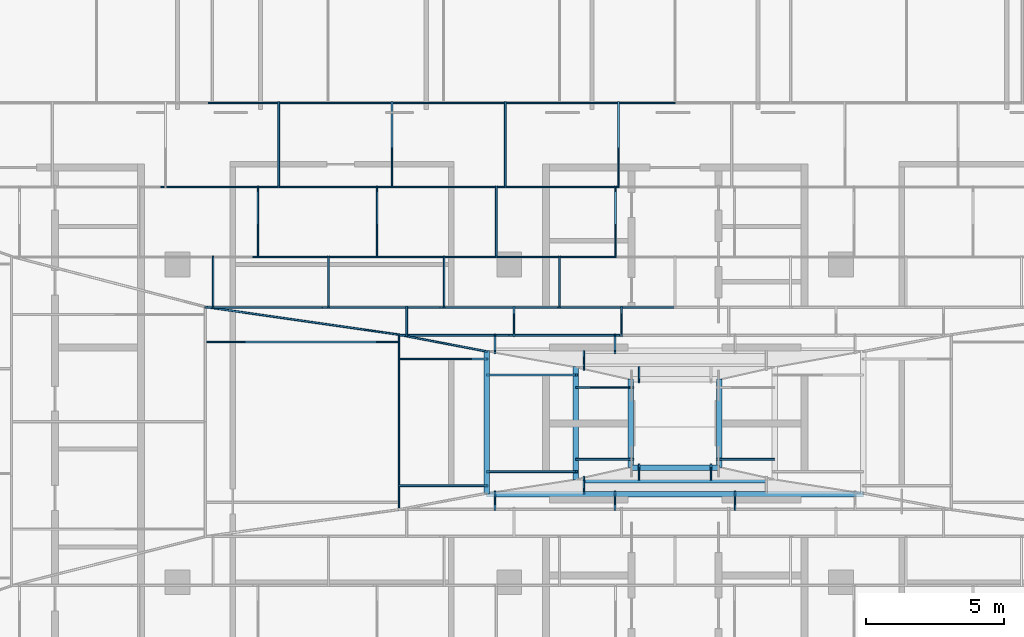
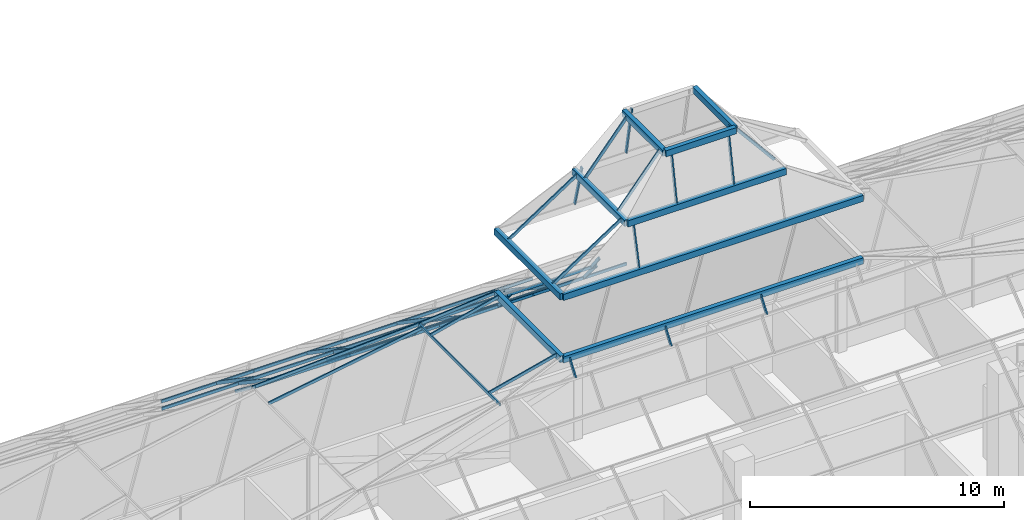
# One storey, part 11 of 39: 62 members, 16 elements without a shape of their own.
"""IFC4 building model written with IfcOpenShell, lengths in metres."""

from ifc_helpers import new_model, si_unit, direction, frame, origin, origin_2d, place, context, subcontext, project, spatial, rectangle, extrude, material, material_profile, profile_set, type_object, element, aggregate, save


model = new_model("IFC4")

# Units and contexts
model_context = context("Model", 3, precision=1e-05, world=origin(), true_north=direction((0.0, 1.0)))
body_context = subcontext(model_context, "Body", "Model", "MODEL_VIEW")
ifc_project = project(units=[si_unit("LENGTHUNIT", "METRE"), si_unit("AREAUNIT", "SQUARE_METRE"), si_unit("VOLUMEUNIT", "CUBIC_METRE"), si_unit("PLANEANGLEUNIT", "RADIAN"), si_unit("MASSUNIT", "GRAM", prefix="KILO")], contexts=[model_context])

# Site, building, storey
site_placement = place(None, origin())
site = spatial("IfcSite", under=ifc_project, at=site_placement, CompositionType="ELEMENT")
building_placement = place(site_placement, origin())
building = spatial("IfcBuilding", under=site, at=building_placement, Name="Mahtab Terrace Research Tower", CompositionType="ELEMENT")
storey_placement = place(building_placement, frame((0.0, 0.0, 282.300048828125)))
storey = spatial("IfcBuildingStorey", under=building, at=storey_placement, Name="L69", CompositionType="ELEMENT", Elevation=282.300048828125)

# Curtain wall, members
ifc_material_1 = material(Name="Crown faceted glass roof")
curtain_wall_type = type_object("IfcCurtainWallType", Name="Crown faceted glass roof", PredefinedType="NOTDEFINED", material=ifc_material_1)
curtain_wall_1_placement = place(storey_placement, origin())
curtain_wall_1 = element("IfcCurtainWall", 1, at=curtain_wall_1_placement, inside=storey, type_object=curtain_wall_type, Name="CROWN.S6", PredefinedType="NOTDEFINED")
ifc_material_2 = material(Name="Natural anodised aluminium", Category="aluminium")
ifc_material_profile_1 = material_profile(ifc_material_2, rectangle(XDim=0.06005859375, YDim=0.139892578125, at=origin_2d()), Name="MULLION 60x140")
ifc_profile_set_1 = profile_set([ifc_material_profile_1], Name="Natural anodised aluminium")
member_type_1 = type_object("IfcMemberType", Name="Crown faceted glass roof mullion", PredefinedType="MULLION", material=ifc_profile_set_1)
member_1_placement = place(storey_placement, frame((-6.513916015625, 2.654296875, 20.358154296875), z_axis=(0.0, 0.59674319679, 0.8024322757), x_axis=(-1.0, 0.0, 0.0)))
member_1 = element("IfcMember", 2, at=member_1_placement, type_object=member_type_1, Name="CWC-S7 mullion 1", PredefinedType="MULLION", context=body_context, shape_type="SweptSolid", body=[
    extrude(rectangle(XDim=0.06005859375, YDim=0.139892578125, at=origin_2d()), origin(), (0.0, 0.0, 1.0), 0.9970703125),
])
member_2_placement = place(storey_placement, frame((-2.17138671875, 2.654296875, 20.358154296875), z_axis=(0.0, 0.59674319679, 0.8024322757), x_axis=(-1.0, 0.0, 0.0)))
member_2 = element("IfcMember", 3, at=member_2_placement, type_object=member_type_1, Name="CWC-S7 mullion 2", PredefinedType="MULLION", context=body_context, shape_type="SweptSolid", body=[
    extrude(rectangle(XDim=0.06005859375, YDim=0.139892578125, at=origin_2d()), origin(), (0.0, 0.0, 1.0), 0.9970703125),
])
member_3_placement = place(storey_placement, frame((2.17138671875, 2.654296875, 20.358154296875), z_axis=(0.0, 0.59674319679, 0.8024322757), x_axis=(-1.0, 0.0, 0.0)))
member_3 = element("IfcMember", 4, at=member_3_placement, type_object=member_type_1, Name="CWC-S7 mullion 3", PredefinedType="MULLION", context=body_context, shape_type="SweptSolid", body=[
    extrude(rectangle(XDim=0.06005859375, YDim=0.139892578125, at=origin_2d()), origin(), (0.0, 0.0, 1.0), 0.9970703125),
])

curtain_wall_2_placement = place(storey_placement, origin())
curtain_wall_2 = element("IfcCurtainWall", 5, at=curtain_wall_2_placement, inside=storey, type_object=curtain_wall_type, Name="CROWN.N2", PredefinedType="NOTDEFINED")
member_4_placement = place(storey_placement, frame((-14.336181640625, 17.344482421875, 13.9423828125), z_axis=(0.0, -0.822840996734, 0.568271672789), x_axis=(1.0, 0.0, 0.0)))
member_4 = element("IfcMember", 6, at=member_4_placement, type_object=member_type_1, Name="CWC-N3 mullion 5", PredefinedType="MULLION", context=body_context, shape_type="SweptSolid", body=[
    extrude(rectangle(XDim=0.06005859375, YDim=0.139892578125, at=origin_2d()), origin(), (0.0, 0.0, 1.0), 3.695068359375),
])
member_5_placement = place(storey_placement, frame((-10.239990234375, 17.344482421875, 13.9423828125), z_axis=(0.0, -0.822840996734, 0.568271672789), x_axis=(1.0, 0.0, 0.0)))
member_5 = element("IfcMember", 7, at=member_5_placement, type_object=member_type_1, Name="CWC-N3 mullion 6", PredefinedType="MULLION", context=body_context, shape_type="SweptSolid", body=[
    extrude(rectangle(XDim=0.06005859375, YDim=0.139892578125, at=origin_2d()), origin(), (0.0, 0.0, 1.0), 3.695068359375),
])
member_6_placement = place(storey_placement, frame((-6.14404296875, 17.344482421875, 13.9423828125), z_axis=(0.0, -0.822840996734, 0.568271672789), x_axis=(1.0, 0.0, 0.0)))
member_6 = element("IfcMember", 8, at=member_6_placement, type_object=member_type_1, Name="CWC-N3 mullion 7", PredefinedType="MULLION", context=body_context, shape_type="SweptSolid", body=[
    extrude(rectangle(XDim=0.06005859375, YDim=0.139892578125, at=origin_2d()), origin(), (0.0, 0.0, 1.0), 3.695068359375),
])
member_7_placement = place(storey_placement, frame((-2.048095703125, 17.344482421875, 13.9423828125), z_axis=(0.0, -0.822840996734, 0.568271672789), x_axis=(1.0, 0.0, 0.0)))
member_7 = element("IfcMember", 9, at=member_7_placement, type_object=member_type_1, Name="CWC-N3 mullion 8", PredefinedType="MULLION", context=body_context, shape_type="SweptSolid", body=[
    extrude(rectangle(XDim=0.06005859375, YDim=0.139892578125, at=origin_2d()), origin(), (0.0, 0.0, 1.0), 3.695068359375),
])

curtain_wall_3_placement = place(storey_placement, origin())
curtain_wall_3 = element("IfcCurtainWall", 10, at=curtain_wall_3_placement, inside=storey, type_object=curtain_wall_type, Name="CROWN.N3", PredefinedType="NOTDEFINED")
member_8_placement = place(storey_placement, frame((-15.091796875, 14.3046875, 16.041748046875), z_axis=(0.0, -0.830073925035, 0.557653368121), x_axis=(1.0, 0.0, 0.0)))
member_8 = element("IfcMember", 11, at=member_8_placement, type_object=member_type_1, Name="CWC-N4 mullion 3", PredefinedType="MULLION", context=body_context, shape_type="SweptSolid", body=[
    extrude(rectangle(XDim=0.06005859375, YDim=0.139892578125, at=origin_2d()), origin(), (0.0, 0.0, 1.0), 3.048828125),
])
member_9_placement = place(storey_placement, frame((-10.77978515625, 14.3046875, 16.041748046875), z_axis=(0.0, -0.830073925035, 0.557653368121), x_axis=(1.0, 0.0, 0.0)))
member_9 = element("IfcMember", 12, at=member_9_placement, type_object=member_type_1, Name="CWC-N4 mullion 4", PredefinedType="MULLION", context=body_context, shape_type="SweptSolid", body=[
    extrude(rectangle(XDim=0.06005859375, YDim=0.139892578125, at=origin_2d()), origin(), (0.0, 0.0, 1.0), 3.048828125),
])
member_10_placement = place(storey_placement, frame((-6.468017578125, 14.3046875, 16.041748046875), z_axis=(0.0, -0.830073925035, 0.557653368121), x_axis=(1.0, 0.0, 0.0)))
member_10 = element("IfcMember", 13, at=member_10_placement, type_object=member_type_1, Name="CWC-N4 mullion 5", PredefinedType="MULLION", context=body_context, shape_type="SweptSolid", body=[
    extrude(rectangle(XDim=0.06005859375, YDim=0.139892578125, at=origin_2d()), origin(), (0.0, 0.0, 1.0), 3.048828125),
])
member_11_placement = place(storey_placement, frame((-2.156005859375, 14.3046875, 16.041748046875), z_axis=(0.0, -0.830073925035, 0.557653368121), x_axis=(1.0, 0.0, 0.0)))
member_11 = element("IfcMember", 14, at=member_11_placement, type_object=member_type_1, Name="CWC-N4 mullion 6", PredefinedType="MULLION", context=body_context, shape_type="SweptSolid", body=[
    extrude(rectangle(XDim=0.06005859375, YDim=0.139892578125, at=origin_2d()), origin(), (0.0, 0.0, 1.0), 3.048828125),
])

curtain_wall_4_placement = place(storey_placement, origin())
curtain_wall_4 = element("IfcCurtainWall", 15, at=curtain_wall_4_placement, inside=storey, type_object=curtain_wall_type, Name="CROWN.N4", PredefinedType="NOTDEFINED")
member_12_placement = place(storey_placement, frame((-16.7109375, 11.770263671875, 17.744384765625), z_axis=(0.0, -0.792683260763, 0.609633699943), x_axis=(1.0, 0.0, 0.0)))
member_12 = element("IfcMember", 16, at=member_12_placement, type_object=member_type_1, Name="CWC-N5 mullion 1", PredefinedType="MULLION", context=body_context, shape_type="SweptSolid", body=[
    extrude(rectangle(XDim=0.06005859375, YDim=0.139892578125, at=origin_2d()), origin(), (0.0, 0.0, 1.0), 2.296630859375),
])
member_13_placement = place(storey_placement, frame((-12.533203125, 11.770263671875, 17.744384765625), z_axis=(0.0, -0.792683260763, 0.609633699943), x_axis=(1.0, 0.0, 0.0)))
member_13 = element("IfcMember", 17, at=member_13_placement, type_object=member_type_1, Name="CWC-N5 mullion 2", PredefinedType="MULLION", context=body_context, shape_type="SweptSolid", body=[
    extrude(rectangle(XDim=0.06005859375, YDim=0.139892578125, at=origin_2d()), origin(), (0.0, 0.0, 1.0), 2.296630859375),
])
member_14_placement = place(storey_placement, frame((-8.35546875, 11.770263671875, 17.744384765625), z_axis=(0.0, -0.792683260763, 0.609633699943), x_axis=(1.0, 0.0, 0.0)))
member_14 = element("IfcMember", 18, at=member_14_placement, type_object=member_type_1, Name="CWC-N5 mullion 3", PredefinedType="MULLION", context=body_context, shape_type="SweptSolid", body=[
    extrude(rectangle(XDim=0.06005859375, YDim=0.139892578125, at=origin_2d()), origin(), (0.0, 0.0, 1.0), 2.296630859375),
])
member_15_placement = place(storey_placement, frame((-4.177734375, 11.770263671875, 17.744384765625), z_axis=(0.0, -0.792683260763, 0.609633699943), x_axis=(1.0, 0.0, 0.0)))
member_15 = element("IfcMember", 19, at=member_15_placement, type_object=member_type_1, Name="CWC-N5 mullion 4", PredefinedType="MULLION", context=body_context, shape_type="SweptSolid", body=[
    extrude(rectangle(XDim=0.06005859375, YDim=0.139892578125, at=origin_2d()), origin(), (0.0, 0.0, 1.0), 2.296630859375),
])

curtain_wall_5_placement = place(storey_placement, origin())
curtain_wall_5 = element("IfcCurtainWall", 20, at=curtain_wall_5_placement, inside=storey, type_object=curtain_wall_type, Name="CROWN.N5", PredefinedType="NOTDEFINED")
member_16_placement = place(storey_placement, frame((-9.70654296875, 9.9384765625, 19.155029296875), z_axis=(0.0, -0.640675871112, 0.767811453532), x_axis=(1.0, 0.0, 0.0)))
member_16 = element("IfcMember", 21, at=member_16_placement, type_object=member_type_1, Name="CWC-N6 mullion 1", PredefinedType="MULLION", context=body_context, shape_type="SweptSolid", body=[
    extrude(rectangle(XDim=0.06005859375, YDim=0.139892578125, at=origin_2d()), origin(), (0.0, 0.0, 1.0), 1.563232421875),
])
member_17_placement = place(storey_placement, frame((-5.823974609375, 9.9384765625, 19.155029296875), z_axis=(0.0, -0.640675871112, 0.767811453532), x_axis=(1.0, 0.0, 0.0)))
member_17 = element("IfcMember", 22, at=member_17_placement, type_object=member_type_1, Name="CWC-N6 mullion 2", PredefinedType="MULLION", context=body_context, shape_type="SweptSolid", body=[
    extrude(rectangle(XDim=0.06005859375, YDim=0.139892578125, at=origin_2d()), origin(), (0.0, 0.0, 1.0), 1.563232421875),
])
member_18_placement = place(storey_placement, frame((-1.94140625, 9.9384765625, 19.155029296875), z_axis=(0.0, -0.640675871112, 0.767811453532), x_axis=(1.0, 0.0, 0.0)))
member_18 = element("IfcMember", 23, at=member_18_placement, type_object=member_type_1, Name="CWC-N6 mullion 3", PredefinedType="MULLION", context=body_context, shape_type="SweptSolid", body=[
    extrude(rectangle(XDim=0.06005859375, YDim=0.139892578125, at=origin_2d()), origin(), (0.0, 0.0, 1.0), 1.563232421875),
])

curtain_wall_6_placement = place(storey_placement, origin())
curtain_wall_6 = element("IfcCurtainWall", 24, at=curtain_wall_6_placement, inside=storey, type_object=curtain_wall_type, Name="CROWN.N6", PredefinedType="NOTDEFINED")
member_19_placement = place(storey_placement, frame((-6.513916015625, 8.935302734375, 20.357421875), z_axis=(0.0, -0.607459104981, 0.794350952524), x_axis=(1.0, 0.0, 0.0)))
member_19 = element("IfcMember", 25, at=member_19_placement, type_object=member_type_1, Name="CWC-N7 mullion 1", PredefinedType="MULLION", context=body_context, shape_type="SweptSolid", body=[
    extrude(rectangle(XDim=0.06005859375, YDim=0.139892578125, at=origin_2d()), origin(), (0.0, 0.0, 1.0), 1.007080078125),
])
member_20_placement = place(storey_placement, frame((-2.17138671875, 8.935302734375, 20.357421875), z_axis=(0.0, -0.607459104981, 0.794350952524), x_axis=(1.0, 0.0, 0.0)))
member_20 = element("IfcMember", 26, at=member_20_placement, type_object=member_type_1, Name="CWC-N7 mullion 2", PredefinedType="MULLION", context=body_context, shape_type="SweptSolid", body=[
    extrude(rectangle(XDim=0.06005859375, YDim=0.139892578125, at=origin_2d()), origin(), (0.0, 0.0, 1.0), 1.007080078125),
])

# Curtain wall, member
curtain_wall_7_placement = place(storey_placement, origin())
curtain_wall_7 = element("IfcCurtainWall", 27, at=curtain_wall_7_placement, inside=storey, type_object=curtain_wall_type, Name="CROWN.W5", PredefinedType="NOTDEFINED")
member_21_placement = place(storey_placement, frame((-16.999267578125, 8.69091796875, 19.130859375), z_axis=(0.985636308822, 0.0, 0.168881812909), x_axis=(0.0, 1.0, 0.0)))
member_21 = element("IfcMember", 28, at=member_21_placement, type_object=member_type_1, Name="CWC-W6 mullion 2", PredefinedType="MULLION", context=body_context, shape_type="SweptSolid", body=[
    extrude(rectangle(XDim=0.06005859375, YDim=0.139892578125, at=origin_2d()), origin(), (0.0, 0.0, 1.0), 7.106689453125),
])
aggregate(curtain_wall_7, [member_21])

# Curtain wall, members
curtain_wall_8_placement = place(storey_placement, origin())
curtain_wall_8 = element("IfcCurtainWall", 29, at=curtain_wall_8_placement, inside=storey, type_object=curtain_wall_type, Name="CROWN.W6", PredefinedType="NOTDEFINED")
member_22_placement = place(storey_placement, frame((-9.989501953125, 3.4931640625, 20.33203125), z_axis=(0.970007086103, 0.0, 0.243076639991), x_axis=(0.0, 1.0, 0.0)))
member_22 = element("IfcMember", 30, at=member_22_placement, type_object=member_type_1, Name="CWC-W7 mullion 1", PredefinedType="MULLION", context=body_context, shape_type="SweptSolid", body=[
    extrude(rectangle(XDim=0.06005859375, YDim=0.139892578125, at=origin_2d()), origin(), (0.0, 0.0, 1.0), 3.291259765625),
])
member_23_placement = place(storey_placement, frame((-9.989501953125, 8.0791015625, 20.33203125), z_axis=(0.970007086103, 0.0, 0.243076639991), x_axis=(0.0, 1.0, 0.0)))
member_23 = element("IfcMember", 31, at=member_23_placement, type_object=member_type_1, Name="CWC-W7 mullion 2", PredefinedType="MULLION", context=body_context, shape_type="SweptSolid", body=[
    extrude(rectangle(XDim=0.06005859375, YDim=0.139892578125, at=origin_2d()), origin(), (0.0, 0.0, 1.0), 3.291259765625),
])

# Member
member_24_placement = place(storey_placement, frame((-17.00439453125, 9.96240234375, 19.136962890625), z_axis=(0.976001927144, -0.139511464037, 0.167202839732), x_axis=(0.141503476764, 0.989937758682, 0.0)))
member_24 = element("IfcMember", 32, at=member_24_placement, type_object=member_type_1, Name="CWC hip NW 6", PredefinedType="MULLION", context=body_context, shape_type="SweptSolid", body=[
    extrude(rectangle(XDim=0.06005859375, YDim=0.139892578125, at=origin_2d()), origin(), (0.0, 0.0, 1.0), 7.176513671875),
])

member_25_placement = place(storey_placement, frame((-9.9970703125, 8.959716796875, 20.338134765625), z_axis=(0.953687162604, -0.182759044849, 0.238914058629), x_axis=(0.188209455889, 0.982128912472, 0.0)))
member_25 = element("IfcMember", 33, at=member_25_placement, type_object=member_type_1, Name="CWC hip NW 7", PredefinedType="MULLION", context=body_context, shape_type="SweptSolid", body=[
    extrude(rectangle(XDim=0.06005859375, YDim=0.139892578125, at=origin_2d()), origin(), (0.0, 0.0, 1.0), 3.34765625),
])

# Curtain wall, member
curtain_wall_9_placement = place(storey_placement, origin())
curtain_wall_9 = element("IfcCurtainWall", 34, at=curtain_wall_9_placement, inside=storey, type_object=curtain_wall_type, Name="CROWN.S7", PredefinedType="NOTDEFINED")
member_26_placement = place(storey_placement, frame((-3.300048828125, 3.26123046875, 24.18359375), z_axis=(0.0, 0.234629485068, 0.972084875274), x_axis=(-1.0, 0.0, 0.0)))
member_26 = element("IfcMember", 35, at=member_26_placement, type_object=member_type_1, Name="CWC-S8 mullion 1", PredefinedType="MULLION", context=body_context, shape_type="SweptSolid", body=[
    extrude(rectangle(XDim=0.06005859375, YDim=0.139892578125, at=origin_2d()), origin(), (0.0, 0.0, 1.0), 2.16015625),
])
aggregate(curtain_wall_9, [member_26])

curtain_wall_10_placement = place(storey_placement, origin())
curtain_wall_10 = element("IfcCurtainWall", 36, at=curtain_wall_10_placement, inside=storey, type_object=curtain_wall_type, Name="CROWN.N7", PredefinedType="NOTDEFINED")
member_27_placement = place(storey_placement, frame((-3.300048828125, 8.3115234375, 24.181396484375), z_axis=(0.0, -0.265857166191, 0.964012431032), x_axis=(1.0, 0.0, 0.0)))
member_27 = element("IfcMember", 37, at=member_27_placement, type_object=member_type_1, Name="CWC-N8 mullion 1", PredefinedType="MULLION", context=body_context, shape_type="SweptSolid", body=[
    extrude(rectangle(XDim=0.06005859375, YDim=0.139892578125, at=origin_2d()), origin(), (0.0, 0.0, 1.0), 2.17822265625),
])
aggregate(curtain_wall_10, [member_27])

# Curtain wall, members
curtain_wall_11_placement = place(storey_placement, origin())
curtain_wall_11 = element("IfcCurtainWall", 38, at=curtain_wall_11_placement, inside=storey, type_object=curtain_wall_type, Name="CROWN.W7", PredefinedType="NOTDEFINED")
member_28_placement = place(storey_placement, frame((-6.775634765625, 4.0, 24.141357421875), z_axis=(0.83712193817, 0.0, 0.547016325747), x_axis=(0.0, 1.0, 0.0)))
member_28 = element("IfcMember", 39, at=member_28_placement, type_object=member_type_1, Name="CWC-W8 mullion 1", PredefinedType="MULLION", context=body_context, shape_type="SweptSolid", body=[
    extrude(rectangle(XDim=0.06005859375, YDim=0.139892578125, at=origin_2d()), origin(), (0.0, 0.0, 1.0), 3.839111328125),
])
member_29_placement = place(storey_placement, frame((-6.775634765625, 7.5, 24.141357421875), z_axis=(0.83712193817, 0.0, 0.547016325747), x_axis=(0.0, 1.0, 0.0)))
member_29 = element("IfcMember", 40, at=member_29_placement, type_object=member_type_1, Name="CWC-W8 mullion 2", PredefinedType="MULLION", context=body_context, shape_type="SweptSolid", body=[
    extrude(rectangle(XDim=0.06005859375, YDim=0.139892578125, at=origin_2d()), origin(), (0.0, 0.0, 1.0), 3.839111328125),
])
aggregate(curtain_wall_11, [member_28, member_29])

curtain_wall_12_placement = place(storey_placement, origin())
curtain_wall_12 = element("IfcCurtainWall", 41, at=curtain_wall_12_placement, inside=storey, type_object=curtain_wall_type, Name="CROWN.S8", PredefinedType="NOTDEFINED")
member_30_placement = place(storey_placement, frame((-1.300048828125, 3.768798828125, 26.287109375), z_axis=(0.0, 0.184276461107, 0.982874450722), x_axis=(-1.0, 0.0, 0.0)))
member_30 = element("IfcMember", 42, at=member_30_placement, type_object=member_type_1, Name="CWC-S9 mullion 1", PredefinedType="MULLION", context=body_context, shape_type="SweptSolid", body=[
    extrude(rectangle(XDim=0.06005859375, YDim=0.139892578125, at=origin_2d()), origin(), (0.0, 0.0, 1.0), 2.441650390625),
])
member_31_placement = place(storey_placement, frame((1.300048828125, 3.768798828125, 26.287109375), z_axis=(0.0, 0.184276461107, 0.982874450722), x_axis=(-1.0, 0.0, 0.0)))
member_31 = element("IfcMember", 43, at=member_31_placement, type_object=member_type_1, Name="CWC-S9 mullion 2", PredefinedType="MULLION", context=body_context, shape_type="SweptSolid", body=[
    extrude(rectangle(XDim=0.06005859375, YDim=0.139892578125, at=origin_2d()), origin(), (0.0, 0.0, 1.0), 2.441650390625),
])
aggregate(curtain_wall_12, [member_30, member_31])

# Curtain wall, member
curtain_wall_13_placement = place(storey_placement, origin())
curtain_wall_13 = element("IfcCurtainWall", 44, at=curtain_wall_13_placement, inside=storey, type_object=curtain_wall_type, Name="CROWN.E8", PredefinedType="NOTDEFINED")
member_32_placement = place(storey_placement, frame((3.546142578125, 4.449951171875, 26.255126953125), z_axis=(-0.640199773186, 0.0, 0.768208468069), x_axis=(0.0, -1.0, 0.0)))
member_32 = element("IfcMember", 45, at=member_32_placement, type_object=member_type_1, Name="CWC-E9 mullion 1", PredefinedType="MULLION", context=body_context, shape_type="SweptSolid", body=[
    extrude(rectangle(XDim=0.06005859375, YDim=0.139892578125, at=origin_2d()), origin(), (0.0, 0.0, 1.0), 3.1240234375),
])
aggregate(curtain_wall_13, [member_32])

curtain_wall_14_placement = place(storey_placement, origin())
curtain_wall_14 = element("IfcCurtainWall", 46, at=curtain_wall_14_placement, inside=storey, type_object=curtain_wall_type, Name="CROWN.N8", PredefinedType="NOTDEFINED")
member_33_placement = place(storey_placement, frame((-1.300048828125, 7.731201171875, 26.287109375), z_axis=(0.0, -0.184276461107, 0.982874450722), x_axis=(1.0, 0.0, 0.0)))
member_33 = element("IfcMember", 47, at=member_33_placement, type_object=member_type_1, Name="CWC-N9 mullion 1", PredefinedType="MULLION", context=body_context, shape_type="SweptSolid", body=[
    extrude(rectangle(XDim=0.06005859375, YDim=0.139892578125, at=origin_2d()), origin(), (0.0, 0.0, 1.0), 2.441650390625),
])
aggregate(curtain_wall_14, [member_33])

# Curtain wall, members
curtain_wall_15_placement = place(storey_placement, origin())
curtain_wall_15 = element("IfcCurtainWall", 48, at=curtain_wall_15_placement, inside=storey, type_object=curtain_wall_type, Name="CROWN.W8", PredefinedType="NOTDEFINED")
member_34_placement = place(storey_placement, frame((-3.546142578125, 4.449951171875, 26.255126953125), z_axis=(0.640199773186, 0.0, 0.768208468069), x_axis=(0.0, 1.0, 0.0)))
member_34 = element("IfcMember", 49, at=member_34_placement, type_object=member_type_1, Name="CWC-W9 mullion 1", PredefinedType="MULLION", context=body_context, shape_type="SweptSolid", body=[
    extrude(rectangle(XDim=0.06005859375, YDim=0.139892578125, at=origin_2d()), origin(), (0.0, 0.0, 1.0), 3.1240234375),
])
member_35_placement = place(storey_placement, frame((-3.546142578125, 7.050048828125, 26.255126953125), z_axis=(0.640199773186, 0.0, 0.768208468069), x_axis=(0.0, 1.0, 0.0)))
member_35 = element("IfcMember", 50, at=member_35_placement, type_object=member_type_1, Name="CWC-W9 mullion 2", PredefinedType="MULLION", context=body_context, shape_type="SweptSolid", body=[
    extrude(rectangle(XDim=0.06005859375, YDim=0.139892578125, at=origin_2d()), origin(), (0.0, 0.0, 1.0), 3.1240234375),
])
aggregate(curtain_wall_15, [member_34, member_35])

# Member
ifc_material_profile_2 = material_profile(ifc_material_2, rectangle(XDim=0.06005859375, YDim=0.139892578125, at=origin_2d()), Name="TRANSOM 60x140")
ifc_profile_set_2 = profile_set([ifc_material_profile_2], Name="Natural anodised aluminium")
member_type_2 = type_object("IfcMemberType", Name="Crown faceted glass roof transom", PredefinedType="USERDEFINED", material=ifc_profile_set_2)
member_36_placement = place(storey_placement, frame((-16.878662109375, 17.344482421875, 13.9423828125), z_axis=(1.0, 0.0, 0.0), x_axis=(0.0, 1.0, 0.0)))
member_36 = element("IfcMember", 51, at=member_36_placement, type_object=member_type_2, Name="CWC-N3 transom 6", ObjectType="TRANSOM", PredefinedType="USERDEFINED", context=body_context, shape_type="SweptSolid", body=[
    extrude(rectangle(XDim=0.06005859375, YDim=0.139892578125, at=origin_2d()), origin(), (0.0, 0.0, 1.0), 4.2197265625),
])

member_37_placement = place(storey_placement, frame((-12.658935546875, 17.344482421875, 13.9423828125), z_axis=(1.0, 0.0, 0.0), x_axis=(0.0, 1.0, 0.0)))
member_37 = element("IfcMember", 52, at=member_37_placement, type_object=member_type_2, Name="CWC-N3 transom 7", ObjectType="TRANSOM", PredefinedType="USERDEFINED", context=body_context, shape_type="SweptSolid", body=[
    extrude(rectangle(XDim=0.06005859375, YDim=0.139892578125, at=origin_2d()), origin(), (0.0, 0.0, 1.0), 4.2197265625),
])

member_38_placement = place(storey_placement, frame((-8.439208984375, 17.344482421875, 13.9423828125), z_axis=(1.0, 0.0, 0.0), x_axis=(0.0, 1.0, 0.0)))
member_38 = element("IfcMember", 53, at=member_38_placement, type_object=member_type_2, Name="CWC-N3 transom 8", ObjectType="TRANSOM", PredefinedType="USERDEFINED", context=body_context, shape_type="SweptSolid", body=[
    extrude(rectangle(XDim=0.06005859375, YDim=0.139892578125, at=origin_2d()), origin(), (0.0, 0.0, 1.0), 4.219482421875),
])

member_39_placement = place(storey_placement, frame((-4.2197265625, 17.344482421875, 13.9423828125), z_axis=(1.0, 0.0, 0.0), x_axis=(0.0, 1.0, 0.0)))
member_39 = element("IfcMember", 54, at=member_39_placement, type_object=member_type_2, Name="CWC-N3 transom 9", ObjectType="TRANSOM", PredefinedType="USERDEFINED", context=body_context, shape_type="SweptSolid", body=[
    extrude(rectangle(XDim=0.06005859375, YDim=0.139892578125, at=origin_2d()), origin(), (0.0, 0.0, 1.0), 4.2197265625),
])

aggregate(curtain_wall_2, [member_4, member_5, member_6, member_7, member_36, member_37, member_38, member_39])

member_40_placement = place(storey_placement, frame((-18.612060546875, 14.30419921875, 16.0419921875), z_axis=(1.0, 0.0, 0.0), x_axis=(0.0, 1.0, 0.0)))
member_40 = element("IfcMember", 55, at=member_40_placement, type_object=member_type_2, Name="CWC-N4 transom 4", ObjectType="TRANSOM", PredefinedType="USERDEFINED", context=body_context, shape_type="SweptSolid", body=[
    extrude(rectangle(XDim=0.06005859375, YDim=0.139892578125, at=origin_2d()), origin(), (0.0, 0.0, 1.0), 4.135986328125),
])

member_41_placement = place(storey_placement, frame((-14.47607421875, 14.30419921875, 16.0419921875), z_axis=(1.0, 0.0, 0.0), x_axis=(0.0, 1.0, 0.0)))
member_41 = element("IfcMember", 56, at=member_41_placement, type_object=member_type_2, Name="CWC-N4 transom 5", ObjectType="TRANSOM", PredefinedType="USERDEFINED", context=body_context, shape_type="SweptSolid", body=[
    extrude(rectangle(XDim=0.06005859375, YDim=0.139892578125, at=origin_2d()), origin(), (0.0, 0.0, 1.0), 4.135986328125),
])

member_42_placement = place(storey_placement, frame((-10.340087890625, 14.30419921875, 16.0419921875), z_axis=(1.0, 0.0, 0.0), x_axis=(0.0, 1.0, 0.0)))
member_42 = element("IfcMember", 57, at=member_42_placement, type_object=member_type_2, Name="CWC-N4 transom 6", ObjectType="TRANSOM", PredefinedType="USERDEFINED", context=body_context, shape_type="SweptSolid", body=[
    extrude(rectangle(XDim=0.06005859375, YDim=0.139892578125, at=origin_2d()), origin(), (0.0, 0.0, 1.0), 4.135986328125),
])

member_43_placement = place(storey_placement, frame((-6.2041015625, 14.30419921875, 16.0419921875), z_axis=(1.0, 0.0, 0.0), x_axis=(0.0, 1.0, 0.0)))
member_43 = element("IfcMember", 58, at=member_43_placement, type_object=member_type_2, Name="CWC-N4 transom 7", ObjectType="TRANSOM", PredefinedType="USERDEFINED", context=body_context, shape_type="SweptSolid", body=[
    extrude(rectangle(XDim=0.06005859375, YDim=0.139892578125, at=origin_2d()), origin(), (0.0, 0.0, 1.0), 4.135986328125),
])

aggregate(curtain_wall_3, [member_8, member_9, member_10, member_11, member_40, member_41, member_42, member_43])

member_44_placement = place(storey_placement, frame((-15.28271484375, 11.772216796875, 17.7431640625), z_axis=(1.0, 0.0, 0.0), x_axis=(0.0, 1.0, 0.0)))
member_44 = element("IfcMember", 59, at=member_44_placement, type_object=member_type_2, Name="CWC-N5 transom 3", ObjectType="TRANSOM", PredefinedType="USERDEFINED", context=body_context, shape_type="SweptSolid", body=[
    extrude(rectangle(XDim=0.06005859375, YDim=0.139892578125, at=origin_2d()), origin(), (0.0, 0.0, 1.0), 4.366455078125),
])

member_45_placement = place(storey_placement, frame((-10.916259765625, 11.772216796875, 17.7431640625), z_axis=(1.0, 0.0, 0.0), x_axis=(0.0, 1.0, 0.0)))
member_45 = element("IfcMember", 60, at=member_45_placement, type_object=member_type_2, Name="CWC-N5 transom 4", ObjectType="TRANSOM", PredefinedType="USERDEFINED", context=body_context, shape_type="SweptSolid", body=[
    extrude(rectangle(XDim=0.06005859375, YDim=0.139892578125, at=origin_2d()), origin(), (0.0, 0.0, 1.0), 4.366455078125),
])

member_46_placement = place(storey_placement, frame((-6.5498046875, 11.772216796875, 17.7431640625), z_axis=(1.0, 0.0, 0.0), x_axis=(0.0, 1.0, 0.0)))
member_46 = element("IfcMember", 61, at=member_46_placement, type_object=member_type_2, Name="CWC-N5 transom 5", ObjectType="TRANSOM", PredefinedType="USERDEFINED", context=body_context, shape_type="SweptSolid", body=[
    extrude(rectangle(XDim=0.06005859375, YDim=0.139892578125, at=origin_2d()), origin(), (0.0, 0.0, 1.0), 4.36669921875),
])

aggregate(curtain_wall_4, [member_12, member_13, member_14, member_15, member_44, member_45, member_46])

member_47_placement = place(storey_placement, frame((-17.010986328125, 9.943603515625, 19.1494140625), z_axis=(1.0, 0.0, 0.0), x_axis=(0.0, 1.0, 0.0)))
member_47 = element("IfcMember", 62, at=member_47_placement, type_object=member_type_2, Name="CWC-N6 transom 1", ObjectType="TRANSOM", PredefinedType="USERDEFINED", context=body_context, shape_type="SweptSolid", body=[
    extrude(rectangle(XDim=0.06005859375, YDim=0.139892578125, at=origin_2d()), origin(), (0.0, 0.0, 1.0), 4.252685546875),
])

member_48_placement = place(storey_placement, frame((-12.75830078125, 9.943603515625, 19.1494140625), z_axis=(1.0, 0.0, 0.0), x_axis=(0.0, 1.0, 0.0)))
member_48 = element("IfcMember", 63, at=member_48_placement, type_object=member_type_2, Name="CWC-N6 transom 2", ObjectType="TRANSOM", PredefinedType="USERDEFINED", context=body_context, shape_type="SweptSolid", body=[
    extrude(rectangle(XDim=0.06005859375, YDim=0.139892578125, at=origin_2d()), origin(), (0.0, 0.0, 1.0), 4.252685546875),
])

member_49_placement = place(storey_placement, frame((-8.505615234375, 9.943603515625, 19.1494140625), z_axis=(1.0, 0.0, 0.0), x_axis=(0.0, 1.0, 0.0)))
member_49 = element("IfcMember", 64, at=member_49_placement, type_object=member_type_2, Name="CWC-N6 transom 3", ObjectType="TRANSOM", PredefinedType="USERDEFINED", context=body_context, shape_type="SweptSolid", body=[
    extrude(rectangle(XDim=0.06005859375, YDim=0.139892578125, at=origin_2d()), origin(), (0.0, 0.0, 1.0), 4.2529296875),
])

member_50_placement = place(storey_placement, frame((-4.252685546875, 9.943603515625, 19.1494140625), z_axis=(1.0, 0.0, 0.0), x_axis=(0.0, 1.0, 0.0)))
member_50 = element("IfcMember", 65, at=member_50_placement, type_object=member_type_2, Name="CWC-N6 transom 4", ObjectType="TRANSOM", PredefinedType="USERDEFINED", context=body_context, shape_type="SweptSolid", body=[
    extrude(rectangle(XDim=0.06005859375, YDim=0.139892578125, at=origin_2d()), origin(), (0.0, 0.0, 1.0), 4.252685546875),
])

aggregate(curtain_wall_5, [member_16, member_17, member_18, member_47, member_48, member_49, member_50, member_24])

member_51_placement = place(storey_placement, frame((-10.006591796875, 8.936279296875, 20.356201171875), z_axis=(1.0, 0.0, 0.0), x_axis=(0.0, 1.0, 0.0)))
member_51 = element("IfcMember", 66, at=member_51_placement, type_object=member_type_2, Name="CWC-N7 transom 1", ObjectType="TRANSOM", PredefinedType="USERDEFINED", context=body_context, shape_type="SweptSolid", body=[
    extrude(rectangle(XDim=0.06005859375, YDim=0.139892578125, at=origin_2d()), origin(), (0.0, 0.0, 1.0), 4.002685546875),
])

member_52_placement = place(storey_placement, frame((-6.00390625, 8.936279296875, 20.356201171875), z_axis=(1.0, 0.0, 0.0), x_axis=(0.0, 1.0, 0.0)))
member_52 = element("IfcMember", 67, at=member_52_placement, type_object=member_type_2, Name="CWC-N7 transom 2", ObjectType="TRANSOM", PredefinedType="USERDEFINED", context=body_context, shape_type="SweptSolid", body=[
    extrude(rectangle(XDim=0.06005859375, YDim=0.139892578125, at=origin_2d()), origin(), (0.0, 0.0, 1.0), 4.002685546875),
])

aggregate(curtain_wall_6, [member_19, member_20, member_51, member_52, member_25])

member_53_placement = place(storey_placement, frame((-9.9921875, 2.59814453125, 20.33154296875), z_axis=(0.0, 1.0, 0.0), x_axis=(-1.0, 0.0, 0.0)))
member_53 = element("IfcMember", 68, at=member_53_placement, type_object=member_type_2, Name="CWC-W7 transom 1", ObjectType="TRANSOM", PredefinedType="USERDEFINED", context=body_context, shape_type="SweptSolid", body=[
    extrude(rectangle(XDim=0.06005859375, YDim=0.139892578125, at=origin_2d()), origin(), (0.0, 0.0, 1.0), 6.392578125),
])

ifc_material_profile_3 = material_profile(ifc_material_2, rectangle(XDim=0.199951171875, YDim=0.300048828125, at=origin_2d()), Name="RING BEAM 200x300")
ifc_profile_set_3 = profile_set([ifc_material_profile_3], Name="Natural anodised aluminium")
member_type_3 = type_object("IfcMemberType", Name="Crown lantern ring beam", PredefinedType="USERDEFINED", material=ifc_profile_set_3)
member_54_placement = place(storey_placement, frame((-6.81396484375, 3.193115234375, 21.050048828125), z_axis=(1.0, 0.0, 0.0), x_axis=(0.0, 1.0, 0.0)))
member_54 = element("IfcMember", 69, at=member_54_placement, type_object=member_type_3, Name="Crown lantern ring beam 0 S", ObjectType="RING BEAM", PredefinedType="USERDEFINED", context=body_context, shape_type="SweptSolid", body=[
    extrude(rectangle(XDim=0.199951171875, YDim=0.300048828125, at=origin_2d()), origin(), (0.0, 0.0, 1.0), 13.6279296875),
])

member_55_placement = place(storey_placement, frame((-6.81396484375, 8.379150390625, 21.050048828125), z_axis=(0.0, -1.0, 0.0), x_axis=(1.0, 0.0, 0.0)))
member_55 = element("IfcMember", 70, at=member_55_placement, type_object=member_type_3, Name="Crown lantern ring beam 0 W", ObjectType="RING BEAM", PredefinedType="USERDEFINED", context=body_context, shape_type="SweptSolid", body=[
    extrude(rectangle(XDim=0.199951171875, YDim=0.300048828125, at=origin_2d()), origin(), (0.0, 0.0, 1.0), 5.18603515625),
])

member_56_placement = place(storey_placement, frame((-6.81396484375, 3.193115234375, 24.050048828125), z_axis=(1.0, 0.0, 0.0), x_axis=(0.0, 1.0, 0.0)))
member_56 = element("IfcMember", 71, at=member_56_placement, type_object=member_type_3, Name="Crown lantern ring beam 1 S", ObjectType="RING BEAM", PredefinedType="USERDEFINED", context=body_context, shape_type="SweptSolid", body=[
    extrude(rectangle(XDim=0.199951171875, YDim=0.300048828125, at=origin_2d()), origin(), (0.0, 0.0, 1.0), 13.6279296875),
])

member_57_placement = place(storey_placement, frame((-6.81396484375, 8.379150390625, 24.050048828125), z_axis=(0.0, -1.0, 0.0), x_axis=(1.0, 0.0, 0.0)))
member_57 = element("IfcMember", 72, at=member_57_placement, type_object=member_type_3, Name="Crown lantern ring beam 1 W", ObjectType="RING BEAM", PredefinedType="USERDEFINED", context=body_context, shape_type="SweptSolid", body=[
    extrude(rectangle(XDim=0.199951171875, YDim=0.300048828125, at=origin_2d()), origin(), (0.0, 0.0, 1.0), 5.18603515625),
])

member_58_placement = place(storey_placement, frame((-3.60009765625, 3.699951171875, 26.14990234375), z_axis=(1.0, 0.0, 0.0), x_axis=(0.0, 1.0, 0.0)))
member_58 = element("IfcMember", 73, at=member_58_placement, type_object=member_type_3, Name="Crown lantern ring beam c2 S", ObjectType="RING BEAM", PredefinedType="USERDEFINED", context=body_context, shape_type="SweptSolid", body=[
    extrude(rectangle(XDim=0.199951171875, YDim=0.300048828125, at=origin_2d()), origin(), (0.0, 0.0, 1.0), 7.2001953125),
])

member_59_placement = place(storey_placement, frame((-3.60009765625, 7.800048828125, 26.14990234375), z_axis=(0.0, -1.0, 0.0), x_axis=(1.0, 0.0, 0.0)))
member_59 = element("IfcMember", 74, at=member_59_placement, type_object=member_type_3, Name="Crown lantern ring beam c2 W", ObjectType="RING BEAM", PredefinedType="USERDEFINED", context=body_context, shape_type="SweptSolid", body=[
    extrude(rectangle(XDim=0.199951171875, YDim=0.300048828125, at=origin_2d()), origin(), (0.0, 0.0, 1.0), 4.10009765625),
])

member_60_placement = place(storey_placement, frame((-1.60009765625, 4.14990234375, 28.550048828125), z_axis=(1.0, 0.0, 0.0), x_axis=(0.0, 1.0, 0.0)))
member_60 = element("IfcMember", 75, at=member_60_placement, type_object=member_type_3, Name="Crown lantern ring beam c3 S", ObjectType="RING BEAM", PredefinedType="USERDEFINED", context=body_context, shape_type="SweptSolid", body=[
    extrude(rectangle(XDim=0.199951171875, YDim=0.300048828125, at=origin_2d()), origin(), (0.0, 0.0, 1.0), 3.2001953125),
])

aggregate(curtain_wall_1, [member_1, member_2, member_3, member_54, member_56, member_58, member_60])

# Curtain wall, member
curtain_wall_16_placement = place(storey_placement, origin())
curtain_wall_16 = element("IfcCurtainWall", 76, at=curtain_wall_16_placement, inside=storey, type_object=curtain_wall_type, Name="CROWN.E6", PredefinedType="NOTDEFINED")
member_61_placement = place(storey_placement, frame((1.60009765625, 4.14990234375, 28.550048828125), z_axis=(0.0, 1.0, 0.0), x_axis=(-1.0, 0.0, 0.0)))
member_61 = element("IfcMember", 77, at=member_61_placement, type_object=member_type_3, Name="Crown lantern ring beam c3 E", ObjectType="RING BEAM", PredefinedType="USERDEFINED", context=body_context, shape_type="SweptSolid", body=[
    extrude(rectangle(XDim=0.199951171875, YDim=0.300048828125, at=origin_2d()), origin(), (0.0, 0.0, 1.0), 3.2001953125),
])
aggregate(curtain_wall_16, [member_61])

# Member
member_62_placement = place(storey_placement, frame((-1.60009765625, 7.35009765625, 28.550048828125), z_axis=(0.0, -1.0, 0.0), x_axis=(1.0, 0.0, 0.0)))
member_62 = element("IfcMember", 78, at=member_62_placement, type_object=member_type_3, Name="Crown lantern ring beam c3 W", ObjectType="RING BEAM", PredefinedType="USERDEFINED", context=body_context, shape_type="SweptSolid", body=[
    extrude(rectangle(XDim=0.199951171875, YDim=0.300048828125, at=origin_2d()), origin(), (0.0, 0.0, 1.0), 3.2001953125),
])

aggregate(curtain_wall_8, [member_22, member_23, member_53, member_55, member_57, member_59, member_62])

save(model, "model.ifc")
